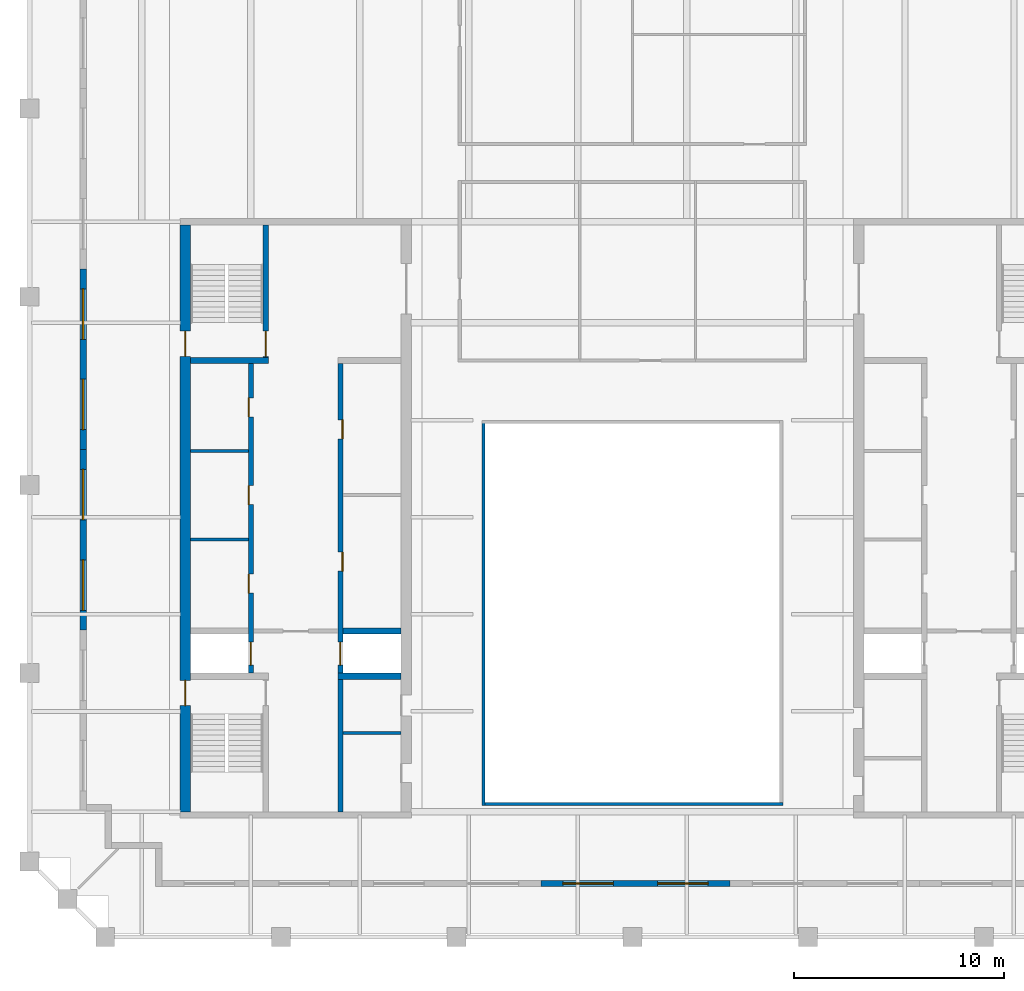
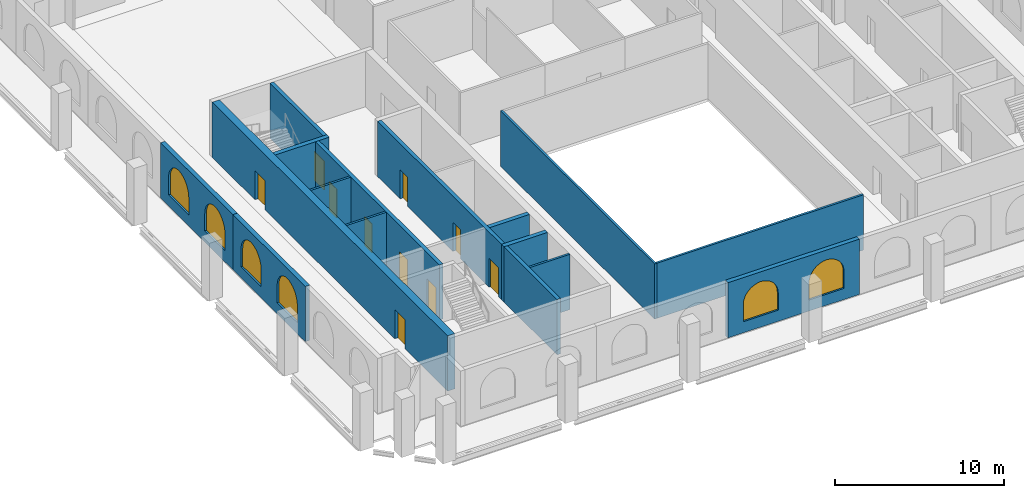
# One storey, part 3 of 10: 15 walls, 10 doors, 6 windows, 16 openings.
"""IFC4 building model written with IfcOpenShell, lengths in metres."""

from ifc_helpers import new_model, si_unit, direction, frame, frame_2d, origin, place, context, subcontext, project, spatial, polyline, rectangle, outline, extrude, material, layer, layer_set, type_object, element, fill, save


model = new_model("IFC4")

# Units and contexts
model_context = context("Model", 3, precision=1e-05, world=origin(), true_north=direction((0.0, 1.0)))
body_context = subcontext(model_context, "Body", "Model", "MODEL_VIEW")
ifc_project = project(units=[si_unit("LENGTHUNIT", "METRE"), si_unit("AREAUNIT", "SQUARE_METRE"), si_unit("VOLUMEUNIT", "CUBIC_METRE"), si_unit("PLANEANGLEUNIT", "RADIAN"), si_unit("MASSUNIT", "GRAM", prefix="KILO")], contexts=[model_context])

# Site, building, storey
site_placement = place(None, origin())
site = spatial("IfcSite", under=ifc_project, at=site_placement, CompositionType="ELEMENT")
building_placement = place(site_placement, origin())
building = spatial("IfcBuilding", under=site, at=building_placement, Name="Ogive Exchange Tower", CompositionType="ELEMENT")
storey_placement = place(building_placement, frame((0.0, 0.0, 369.0)))
storey = spatial("IfcBuildingStorey", under=building, at=storey_placement, Name="C01", CompositionType="ELEMENT", Elevation=369.0)

# Walls
ifc_material_1 = material(Name="Gypsum board partition")
ifc_layer_1 = layer(ifc_material_1, 0.14990234375)
ifc_layer_set_1 = layer_set([ifc_layer_1], Name="Core room partition 150 gypsum")
wall_type_1 = type_object("IfcWallType", Name="Core room partition 150 gypsum", PredefinedType="PARTITIONING", material=ifc_layer_set_1)
for number, where, z_axis, x_axis, name in (
    (1, (-21.0, 10.5, 0.0), (0.0, 0.0, 1.0), (1.0, 0.0, 0.0), "W row A bay partition 1-1"),
    (2, (-21.0, 14.699951171875, 0.0), (0.0, 0.0, 1.0), (1.0, 0.0, 0.0), "W row A bay partition 1-2"),
    (3, (-13.75, 1.300048828125, 0.0), (0.0, 0.0, 1.0), (1.0, 0.0, 0.0), "W south room partition"),
):
    element("IfcWall", number, at=place(storey_placement, frame(where, z_axis=z_axis, x_axis=x_axis)), inside=storey, type_object=wall_type_1, Name=name, PredefinedType="PARTITIONING", context=body_context, shape_type="SweptSolid", body=[
        extrude(rectangle(XDim=2.75, YDim=0.14990234375, at=frame_2d((1.375, 0.0))), origin(), (0.0, 0.0, 1.0), 4.0),
    ])
ifc_material_2 = material(Name="Fire-resisting glass in steel frame", Category="steel")
ifc_layer_2 = layer(ifc_material_2, 0.14990234375)
ifc_layer_set_2 = layer_set([ifc_layer_2], Name="Fire-rated glazed wall 150")
wall_type_2 = type_object("IfcWallType", Name="Fire-rated glazed wall 150", PredefinedType="STANDARD", material=ifc_layer_set_2)
wall_1_placement = place(storey_placement, frame((-7.074951171875, -2.14990234375, 0.0), z_axis=(0.0, 0.0, 1.0), x_axis=(0.0, 1.0, 0.0)))
element("IfcWall", 4, at=wall_1_placement, inside=storey, type_object=wall_type_2, Name="Nave enclosure wall 1", PredefinedType="STANDARD", context=body_context, shape_type="SweptSolid", body=[
    extrude(rectangle(XDim=18.2998046875, YDim=0.14990234375, at=frame_2d((9.14990234375, 0.0))), origin(), (0.0, 0.0, 1.0), 4.0),
])
wall_2_placement = place(storey_placement, frame((7.14990234375, -2.074951171875, 0.0), z_axis=(0.0, 0.0, 1.0), x_axis=(-1.0, 0.0, 0.0)))
element("IfcWall", 5, at=wall_2_placement, inside=storey, type_object=wall_type_2, Name="Nave enclosure wall 4", PredefinedType="STANDARD", context=body_context, shape_type="SweptSolid", body=[
    extrude(rectangle(XDim=14.14990234375, YDim=0.14990234375, at=frame_2d((7.074951171875, 0.0))), origin(), (0.0, 0.0, 1.0), 4.0),
])

# Wall, opening, door
ifc_material_3 = material(Name="Concrete C70/85", Category="concrete")
ifc_layer_3 = layer(ifc_material_3, 0.25)
ifc_layer_set_3 = layer_set([ifc_layer_3], Name="RC core wall 250 C70/85")
wall_type_3 = type_object("IfcWallType", Name="RC core wall 250 C70/85", PredefinedType="SHEAR", material=ifc_layer_set_3)
wall_3_placement = place(storey_placement, frame((-17.425048828125, 19.14990234375, 0.0), z_axis=(0.0, 0.0, 1.0), x_axis=(0.0, 1.0, 0.0)))
wall_3 = element("IfcWall", 6, at=wall_3_placement, inside=storey, type_object=wall_type_3, Name="W stair N front wall", PredefinedType="SHEAR", context=body_context, shape_type="SweptSolid", body=[
    extrude(rectangle(XDim=6.300048828125, YDim=0.25, at=frame_2d((3.14990234375, 0.0))), origin(), (0.0, 0.0, 1.0), 4.0),
])
opening_1_placement = place(wall_3_placement, frame((0.050048828125, 0.0, 0.0)))
opening_1 = element("IfcOpeningElement", 7, at=opening_1_placement, cuts=wall_3, Name="Opening C01-C12", PredefinedType="OPENING", context=body_context, shape_type="SweptSolid", body=[
    extrude(rectangle(XDim=1.199951171875, YDim=2.10009765625, at=frame_2d((0.60009765625, 1.050048828125))), frame((0.0, 0.135009765625, 0.0), z_axis=(0.0, -1.0, 0.0), x_axis=(1.0, 0.0, 0.0)), (0.0, 0.0, 1.0), 0.27001953125),
])
ifc_material_4 = material(Name="Steel fire door", Category="steel")
door_type_1 = type_object("IfcDoorType", Name="Stair door FD90 1200 x 2100", OperationType="NOTDEFINED", PredefinedType="DOOR", material=ifc_material_4)
door_1_placement = place(opening_1_placement, origin())
door_1 = element("IfcDoor", 8, at=door_1_placement, inside=storey, type_object=door_type_1, Name="Stair door", ObjectType="CD5", OperationType="SINGLE_SWING_RIGHT", OverallHeight=2.10009765625, OverallWidth=1.199951171875, PredefinedType="DOOR", context=body_context, shape_type="SweptSolid", body=[
    extrude(rectangle(XDim=1.199951171875, YDim=2.10009765625, at=frame_2d((0.60009765625, 1.050048828125))), frame((0.0, 0.02490234375, 0.0), z_axis=(0.0, -1.0, 0.0), x_axis=(1.0, 0.0, 0.0)), (0.0, 0.0, 1.0), 0.050048828125),
])
fill(opening_1, door_1)

# Wall, openings, doors
wall_4_placement = place(storey_placement, frame((-18.125, 4.14990234375, 0.0), z_axis=(0.0, 0.0, 1.0), x_axis=(0.0, 1.0, 0.0)))
wall_4 = element("IfcWall", 9, at=wall_4_placement, inside=storey, type_object=wall_type_3, Name="W row A front wall", PredefinedType="SHEAR", context=body_context, shape_type="SweptSolid", body=[
    extrude(rectangle(XDim=14.7001953125, YDim=0.25, at=frame_2d((7.35009765625, 0.0))), origin(), (0.0, 0.0, 1.0), 4.0),
])
opening_2_placement = place(wall_4_placement, frame((3.79638671875, 0.0, 0.0)))
opening_2 = element("IfcOpeningElement", 10, at=opening_2_placement, cuts=wall_4, Name="Opening C01-C01", PredefinedType="OPENING", context=body_context, shape_type="SweptSolid", body=[
    extrude(rectangle(XDim=0.89990234375, YDim=2.10009765625, at=frame_2d((0.449951171875, 1.050048828125))), frame((0.0, 0.135009765625, 0.0), z_axis=(0.0, -1.0, 0.0), x_axis=(1.0, 0.0, 0.0)), (0.0, 0.0, 1.0), 0.27001953125),
])
opening_3_placement = place(wall_4_placement, frame((8.0, 0.0, 0.0)))
opening_3 = element("IfcOpeningElement", 11, at=opening_3_placement, cuts=wall_4, Name="Opening C01-C02", PredefinedType="OPENING", context=body_context, shape_type="SweptSolid", body=[
    extrude(rectangle(XDim=0.89990234375, YDim=2.10009765625, at=frame_2d((0.449951171875, 1.050048828125))), frame((0.0, 0.135009765625, 0.0), z_axis=(0.0, -1.0, 0.0), x_axis=(1.0, 0.0, 0.0)), (0.0, 0.0, 1.0), 0.27001953125),
])
opening_4_placement = place(wall_4_placement, frame((12.175048828125, 0.0, 0.0)))
opening_4 = element("IfcOpeningElement", 12, at=opening_4_placement, cuts=wall_4, Name="Opening C01-C03", PredefinedType="OPENING", context=body_context, shape_type="SweptSolid", body=[
    extrude(rectangle(XDim=0.89990234375, YDim=2.10009765625, at=frame_2d((0.449951171875, 1.050048828125))), frame((0.0, 0.135009765625, 0.0), z_axis=(0.0, -1.0, 0.0), x_axis=(1.0, 0.0, 0.0)), (0.0, 0.0, 1.0), 0.27001953125),
])
opening_5_placement = place(wall_4_placement, frame((0.371337890625, 0.0, 0.0)))
opening_5 = element("IfcOpeningElement", 13, at=opening_5_placement, cuts=wall_4, Name="Opening C01-C04", PredefinedType="OPENING", context=body_context, shape_type="SweptSolid", body=[
    extrude(rectangle(XDim=1.10009765625, YDim=2.10009765625, at=frame_2d((0.550048828125, 1.050048828125))), frame((0.0, 0.135009765625, 0.0), z_axis=(0.0, -1.0, 0.0), x_axis=(1.0, 0.0, 0.0)), (0.0, 0.0, 1.0), 0.27001953125),
])
ifc_material_5 = material(Name="Stainless steel", Category="steel")
door_type_2 = type_object("IfcDoorType", Name="Lift landing door FD90 1100 x 2100", OperationType="SLIDING_TO_LEFT", PredefinedType="DOOR", material=ifc_material_5)
door_2_placement = place(opening_5_placement, origin())
door_2 = element("IfcDoor", 14, at=door_2_placement, inside=storey, type_object=door_type_2, Name="Lift landing door FF1", ObjectType="LD", OperationType="SLIDING_TO_LEFT", OverallHeight=2.10009765625, OverallWidth=1.10009765625, PredefinedType="DOOR", context=body_context, shape_type="SweptSolid", body=[
    extrude(rectangle(XDim=1.10009765625, YDim=2.10009765625, at=frame_2d((0.550048828125, 1.050048828125))), frame((0.0, 0.02490234375, 0.0), z_axis=(0.0, -1.0, 0.0), x_axis=(1.0, 0.0, 0.0)), (0.0, 0.0, 1.0), 0.050048828125),
])
fill(opening_5, door_2)
door_type_3 = type_object("IfcDoorType", Name="Riser door FD60 900 x 2100", OperationType="NOTDEFINED", PredefinedType="DOOR", material=ifc_material_4)
door_3_placement = place(opening_2_placement, origin())
door_3 = element("IfcDoor", 15, at=door_3_placement, inside=storey, type_object=door_type_3, Name="Riser door", ObjectType="CD2", OperationType="SINGLE_SWING_RIGHT", OverallHeight=2.10009765625, OverallWidth=0.89990234375, PredefinedType="DOOR", context=body_context, shape_type="SweptSolid", body=[
    extrude(rectangle(XDim=0.89990234375, YDim=2.10009765625, at=frame_2d((0.449951171875, 1.050048828125))), frame((0.0, 0.125, 0.0), z_axis=(0.0, -1.0, 0.0), x_axis=(1.0, 0.0, 0.0)), (0.0, 0.0, 1.0), 0.050048828125),
])
fill(opening_2, door_3)
door_4_placement = place(opening_3_placement, origin())
door_4 = element("IfcDoor", 16, at=door_4_placement, inside=storey, type_object=door_type_3, Name="Riser door", ObjectType="CD2", OperationType="SINGLE_SWING_RIGHT", OverallHeight=2.10009765625, OverallWidth=0.89990234375, PredefinedType="DOOR", context=body_context, shape_type="SweptSolid", body=[
    extrude(rectangle(XDim=0.89990234375, YDim=2.10009765625, at=frame_2d((0.449951171875, 1.050048828125))), frame((0.0, 0.125, 0.0), z_axis=(0.0, -1.0, 0.0), x_axis=(1.0, 0.0, 0.0)), (0.0, 0.0, 1.0), 0.050048828125),
])
fill(opening_3, door_4)
door_5_placement = place(opening_4_placement, origin())
door_5 = element("IfcDoor", 17, at=door_5_placement, inside=storey, type_object=door_type_3, Name="Riser door", ObjectType="CD2", OperationType="SINGLE_SWING_RIGHT", OverallHeight=2.10009765625, OverallWidth=0.89990234375, PredefinedType="DOOR", context=body_context, shape_type="SweptSolid", body=[
    extrude(rectangle(XDim=0.89990234375, YDim=2.10009765625, at=frame_2d((0.449951171875, 1.050048828125))), frame((0.0, 0.125, 0.0), z_axis=(0.0, -1.0, 0.0), x_axis=(1.0, 0.0, 0.0)), (0.0, 0.0, 1.0), 0.050048828125),
])
fill(opening_4, door_5)

wall_5_placement = place(storey_placement, frame((-13.875, -2.449951171875, 0.0), z_axis=(0.0, 0.0, 1.0), x_axis=(0.0, 1.0, 0.0)))
wall_5 = element("IfcWall", 18, at=wall_5_placement, inside=storey, type_object=wall_type_3, Name="W row B front wall", PredefinedType="SHEAR", context=body_context, shape_type="SweptSolid", body=[
    extrude(rectangle(XDim=21.300048828125, YDim=0.25, at=frame_2d((10.64990234375, 0.0))), origin(), (0.0, 0.0, 1.0), 4.0),
])
opening_6_placement = place(wall_5_placement, frame((11.4462890625, 0.0, 0.0)))
opening_6 = element("IfcOpeningElement", 19, at=opening_6_placement, cuts=wall_5, Name="Opening C01-C05", PredefinedType="OPENING", context=body_context, shape_type="SweptSolid", body=[
    extrude(rectangle(XDim=0.89990234375, YDim=2.10009765625, at=frame_2d((0.449951171875, 1.050048828125))), frame((0.0, 0.135009765625, 0.0), z_axis=(0.0, -1.0, 0.0), x_axis=(1.0, 0.0, 0.0)), (0.0, 0.0, 1.0), 0.27001953125),
])
opening_7_placement = place(wall_5_placement, frame((17.72509765625, 0.0, 0.0)))
opening_7 = element("IfcOpeningElement", 20, at=opening_7_placement, cuts=wall_5, Name="Opening C01-C06", PredefinedType="OPENING", context=body_context, shape_type="SweptSolid", body=[
    extrude(rectangle(XDim=0.89990234375, YDim=2.10009765625, at=frame_2d((0.449951171875, 1.050048828125))), frame((0.0, 0.135009765625, 0.0), z_axis=(0.0, -1.0, 0.0), x_axis=(1.0, 0.0, 0.0)), (0.0, 0.0, 1.0), 0.27001953125),
])
opening_8_placement = place(wall_5_placement, frame((6.971435546875, 0.0, 0.0)))
opening_8 = element("IfcOpeningElement", 21, at=opening_8_placement, cuts=wall_5, Name="Opening C01-C07", PredefinedType="OPENING", context=body_context, shape_type="SweptSolid", body=[
    extrude(rectangle(XDim=1.10009765625, YDim=2.10009765625, at=frame_2d((0.550048828125, 1.050048828125))), frame((0.0, 0.135009765625, 0.0), z_axis=(0.0, -1.0, 0.0), x_axis=(1.0, 0.0, 0.0)), (0.0, 0.0, 1.0), 0.27001953125),
])
door_6_placement = place(opening_8_placement, origin())
door_6 = element("IfcDoor", 22, at=door_6_placement, inside=storey, type_object=door_type_2, Name="Lift landing door SV1", ObjectType="LD", OperationType="SLIDING_TO_LEFT", OverallHeight=2.10009765625, OverallWidth=1.10009765625, PredefinedType="DOOR", context=body_context, shape_type="SweptSolid", body=[
    extrude(rectangle(XDim=1.10009765625, YDim=2.10009765625, at=frame_2d((0.550048828125, 1.050048828125))), frame((0.0, 0.02490234375, 0.0), z_axis=(0.0, -1.0, 0.0), x_axis=(1.0, 0.0, 0.0)), (0.0, 0.0, 1.0), 0.050048828125),
])
fill(opening_8, door_6)
door_7_placement = place(opening_6_placement, frame((0.89990234375, -0.2001953125, 0.0), z_axis=(0.0, 0.0, 1.0), x_axis=(-1.0, 0.0, 0.0)))
door_7 = element("IfcDoor", 23, at=door_7_placement, inside=storey, type_object=door_type_3, Name="Riser door", ObjectType="CD2", OperationType="SINGLE_SWING_RIGHT", OverallHeight=2.10009765625, OverallWidth=0.89990234375, PredefinedType="DOOR", context=body_context, shape_type="SweptSolid", body=[
    extrude(rectangle(XDim=0.89990234375, YDim=2.10009765625, at=frame_2d((0.449951171875, 1.050048828125))), frame((0.0, -0.0751953125, 0.0), z_axis=(0.0, -1.0, 0.0), x_axis=(1.0, 0.0, 0.0)), (0.0, 0.0, 1.0), 0.050048828125),
])
fill(opening_6, door_7)
door_8_placement = place(opening_7_placement, frame((0.89990234375, -0.2001953125, 0.0), z_axis=(0.0, 0.0, 1.0), x_axis=(-1.0, 0.0, 0.0)))
door_8 = element("IfcDoor", 24, at=door_8_placement, inside=storey, type_object=door_type_3, Name="Riser door", ObjectType="CD2", OperationType="SINGLE_SWING_RIGHT", OverallHeight=2.10009765625, OverallWidth=0.89990234375, PredefinedType="DOOR", context=body_context, shape_type="SweptSolid", body=[
    extrude(rectangle(XDim=0.89990234375, YDim=2.10009765625, at=frame_2d((0.449951171875, 1.050048828125))), frame((0.0, -0.0751953125, 0.0), z_axis=(0.0, -1.0, 0.0), x_axis=(1.0, 0.0, 0.0)), (0.0, 0.0, 1.0), 0.050048828125),
])
fill(opening_7, door_8)

# Walls
ifc_layer_4 = layer(ifc_material_3, 0.300048828125)
ifc_layer_set_4 = layer_set([ifc_layer_4], Name="RC core wall 300 C70/85")
wall_type_4 = type_object("IfcWallType", Name="RC core wall 300 C70/85", PredefinedType="SHEAR", material=ifc_layer_set_4)
wall_6_placement = place(storey_placement, frame((-21.0, 19.0, 0.0), z_axis=(0.0, 0.0, 1.0), x_axis=(1.0, 0.0, 0.0)))
element("IfcWall", 25, at=wall_6_placement, inside=storey, type_object=wall_type_4, Name="W stair N south wall", PredefinedType="SHEAR", context=body_context, shape_type="SweptSolid", body=[
    extrude(rectangle(XDim=3.699951171875, YDim=0.300048828125, at=frame_2d((1.85009765625, 0.0))), origin(), (0.0, 0.0, 1.0), 4.0),
])
wall_7_placement = place(storey_placement, frame((-14.0, 4.0, 0.0), z_axis=(0.0, 0.0, 1.0), x_axis=(1.0, 0.0, 0.0)))
element("IfcWall", 26, at=wall_7_placement, inside=storey, type_object=wall_type_4, Name="W row B divider 0", PredefinedType="SHEAR", context=body_context, shape_type="SweptSolid", body=[
    extrude(rectangle(XDim=3.0, YDim=0.300048828125, at=frame_2d((1.5, 0.0))), origin(), (0.0, 0.0, 1.0), 4.0),
])
wall_8_placement = place(storey_placement, frame((-13.75, 6.142822265625, 0.0), z_axis=(0.0, 0.0, 1.0), x_axis=(1.0, 0.0, 0.0)))
element("IfcWall", 27, at=wall_8_placement, inside=storey, type_object=wall_type_4, Name="W row B divider 1", PredefinedType="SHEAR", context=body_context, shape_type="SweptSolid", body=[
    extrude(rectangle(XDim=2.75, YDim=0.300048828125, at=frame_2d((1.375, 0.0))), origin(), (0.0, 0.0, 1.0), 4.0),
])

# Wall, openings, doors
ifc_layer_5 = layer(ifc_material_3, 0.5)
ifc_layer_set_5 = layer_set([ifc_layer_5], Name="RC core wall 500 C70/85")
wall_type_5 = type_object("IfcWallType", Name="RC core wall 500 C70/85", PredefinedType="SHEAR", material=ifc_layer_set_5)
wall_9_placement = place(storey_placement, frame((-21.25, -2.449951171875, 0.0), z_axis=(0.0, 0.0, 1.0), x_axis=(0.0, 1.0, 0.0)))
wall_9 = element("IfcWall", 28, at=wall_9_placement, inside=storey, type_object=wall_type_5, Name="W outer wall", PredefinedType="SHEAR", context=body_context, shape_type="SweptSolid", body=[
    extrude(rectangle(XDim=27.89990234375, YDim=0.5, at=frame_2d((13.949951171875, 0.0))), origin(), (0.0, 0.0, 1.0), 4.0),
])
opening_9_placement = place(wall_9_placement, frame((5.050048828125, 0.0, 0.0)))
opening_9 = element("IfcOpeningElement", 29, at=opening_9_placement, cuts=wall_9, Name="Opening C01-C11", PredefinedType="OPENING", context=body_context, shape_type="SweptSolid", body=[
    extrude(rectangle(XDim=1.199951171875, YDim=2.10009765625, at=frame_2d((0.60009765625, 1.050048828125))), frame((0.0, 0.260009765625, 0.0), z_axis=(0.0, -1.0, 0.0), x_axis=(1.0, 0.0, 0.0)), (0.0, 0.0, 1.0), 0.52001953125),
])
opening_10_placement = place(wall_9_placement, frame((21.64990234375, 0.0, 0.0)))
opening_10 = element("IfcOpeningElement", 30, at=opening_10_placement, cuts=wall_9, Name="Opening C01-C13", PredefinedType="OPENING", context=body_context, shape_type="SweptSolid", body=[
    extrude(rectangle(XDim=1.199951171875, YDim=2.10009765625, at=frame_2d((0.60009765625, 1.050048828125))), frame((0.0, 0.260009765625, 0.0), z_axis=(0.0, -1.0, 0.0), x_axis=(1.0, 0.0, 0.0)), (0.0, 0.0, 1.0), 0.52001953125),
])
door_9_placement = place(opening_9_placement, origin())
door_9 = element("IfcDoor", 31, at=door_9_placement, inside=storey, type_object=door_type_1, Name="Stair door", ObjectType="CD5", OperationType="SINGLE_SWING_LEFT", OverallHeight=2.10009765625, OverallWidth=1.199951171875, PredefinedType="DOOR", context=body_context, shape_type="SweptSolid", body=[
    extrude(rectangle(XDim=1.199951171875, YDim=2.10009765625, at=frame_2d((0.60009765625, 1.050048828125))), frame((0.0, 0.02490234375, 0.0), z_axis=(0.0, -1.0, 0.0), x_axis=(1.0, 0.0, 0.0)), (0.0, 0.0, 1.0), 0.050048828125),
])
fill(opening_9, door_9)
door_10_placement = place(opening_10_placement, origin())
door_10 = element("IfcDoor", 32, at=door_10_placement, inside=storey, type_object=door_type_1, Name="Stair door", ObjectType="CD5", OperationType="SINGLE_SWING_LEFT", OverallHeight=2.10009765625, OverallWidth=1.199951171875, PredefinedType="DOOR", context=body_context, shape_type="SweptSolid", body=[
    extrude(rectangle(XDim=1.199951171875, YDim=2.10009765625, at=frame_2d((0.60009765625, 1.050048828125))), frame((0.0, 0.02490234375, 0.0), z_axis=(0.0, -1.0, 0.0), x_axis=(1.0, 0.0, 0.0)), (0.0, 0.0, 1.0), 0.050048828125),
])
fill(opening_10, door_10)

# Wall, openings, windows
ifc_material_6 = material(Name="Precast concrete C40/50", Category="concrete")
ifc_layer_6 = layer(ifc_material_6, 0.300048828125)
ifc_layer_set_6 = layer_set([ifc_layer_6], Name="Zinc-clad crown wall 300")
wall_type_6 = type_object("IfcWallType", Name="Zinc-clad crown wall 300", PredefinedType="STANDARD", material=ifc_layer_set_6)
wall_10_placement = place(storey_placement, frame((-4.35009765625, -5.85009765625, 0.0), z_axis=(0.0, 0.0, 1.0), x_axis=(1.0, 0.0, 0.0)))
wall_10 = element("IfcWall", 33, at=wall_10_placement, inside=storey, type_object=wall_type_6, Name="Crown wall 6", PredefinedType="STANDARD", context=body_context, shape_type="SweptSolid", body=[
    extrude(rectangle(XDim=9.0, YDim=0.300048828125, at=frame_2d((4.5, 0.0))), origin(), (0.0, 0.0, 1.0), 4.0),
])
opening_11_placement = place(wall_10_placement, frame((1.050048828125, 0.0, 0.800048828125)))
opening_11 = element("IfcOpeningElement", 34, at=opening_11_placement, cuts=wall_10, Name="Opening WC25", PredefinedType="OPENING", context=body_context, shape_type="SweptSolid", body=[
    extrude(outline(polyline([(0.0, 0.0), (2.39990234375, 0.0), (2.39990234375, 1.25), (2.377197265625, 1.48779296875), (2.3095703125, 1.717041015625), (2.19970703125, 1.928955078125), (2.05126953125, 2.116455078125), (1.8701171875, 2.272216796875), (1.662841796875, 2.390625), (1.4365234375, 2.467529296875), (1.199951171875, 2.5), (0.96337890625, 2.467529296875), (0.737060546875, 2.390625), (0.52978515625, 2.272216796875), (0.3486328125, 2.116455078125), (0.2001953125, 1.928955078125), (0.09033203125, 1.717041015625), (0.022705078125, 1.48779296875), (0.0, 1.25), (0.0, 0.0)])), frame((0.0, 0.159912109375, 0.0), z_axis=(0.0, -1.0, 0.0), x_axis=(1.0, 0.0, 0.0)), (0.0, 0.0, 1.0), 0.320068359375),
])
opening_12_placement = place(wall_10_placement, frame((5.550048828125, 0.0, 0.800048828125)))
opening_12 = element("IfcOpeningElement", 35, at=opening_12_placement, cuts=wall_10, Name="Opening WC25", PredefinedType="OPENING", context=body_context, shape_type="SweptSolid", body=[
    extrude(outline(polyline([(0.0, 0.0), (2.39990234375, 0.0), (2.39990234375, 1.25), (2.377197265625, 1.48779296875), (2.3095703125, 1.717041015625), (2.19970703125, 1.928955078125), (2.05126953125, 2.116455078125), (1.8701171875, 2.272216796875), (1.662841796875, 2.390625), (1.4365234375, 2.467529296875), (1.199951171875, 2.5), (0.96337890625, 2.467529296875), (0.737060546875, 2.390625), (0.52978515625, 2.272216796875), (0.3486328125, 2.116455078125), (0.2001953125, 1.928955078125), (0.09033203125, 1.717041015625), (0.022705078125, 1.48779296875), (0.0, 1.25), (0.0, 0.0)])), frame((0.0, 0.159912109375, 0.0), z_axis=(0.0, -1.0, 0.0), x_axis=(1.0, 0.0, 0.0)), (0.0, 0.0, 1.0), 0.320068359375),
])
ifc_material_7 = material(Name="Clear glass in bronze frame", Category="glass")
window_type = type_object("IfcWindowType", Name="Crown lancet window 2400 x 2500", PartitioningType="DOUBLE_PANEL_VERTICAL", PredefinedType="WINDOW", material=ifc_material_7)
window_1_placement = place(opening_11_placement, origin())
window_1 = element("IfcWindow", 36, at=window_1_placement, inside=storey, type_object=window_type, Name="Crown lancet 6.1", OverallHeight=2.5, OverallWidth=2.39990234375, PartitioningType="DOUBLE_PANEL_VERTICAL", PredefinedType="WINDOW", context=body_context, shape_type="SweptSolid", body=[
    extrude(outline(polyline([(0.0, 0.0), (2.39990234375, 0.0), (2.39990234375, 1.25), (2.377197265625, 1.48779296875), (2.3095703125, 1.717041015625), (2.19970703125, 1.928955078125), (2.05126953125, 2.116455078125), (1.8701171875, 2.272216796875), (1.662841796875, 2.390625), (1.4365234375, 2.467529296875), (1.199951171875, 2.5), (0.96337890625, 2.467529296875), (0.737060546875, 2.390625), (0.52978515625, 2.272216796875), (0.3486328125, 2.116455078125), (0.2001953125, 1.928955078125), (0.09033203125, 1.717041015625), (0.022705078125, 1.48779296875), (0.0, 1.25), (0.0, 0.0)])), frame((0.0, 0.030029296875, 0.0), z_axis=(0.0, -1.0, 0.0), x_axis=(1.0, 0.0, 0.0)), (0.0, 0.0, 1.0), 0.06005859375),
])
fill(opening_11, window_1)
window_2_placement = place(opening_12_placement, origin())
window_2 = element("IfcWindow", 37, at=window_2_placement, inside=storey, type_object=window_type, Name="Crown lancet 6.2", OverallHeight=2.5, OverallWidth=2.39990234375, PartitioningType="DOUBLE_PANEL_VERTICAL", PredefinedType="WINDOW", context=body_context, shape_type="SweptSolid", body=[
    extrude(outline(polyline([(0.0, 0.0), (2.39990234375, 0.0), (2.39990234375, 1.25), (2.377197265625, 1.48779296875), (2.3095703125, 1.717041015625), (2.19970703125, 1.928955078125), (2.05126953125, 2.116455078125), (1.8701171875, 2.272216796875), (1.662841796875, 2.390625), (1.4365234375, 2.467529296875), (1.199951171875, 2.5), (0.96337890625, 2.467529296875), (0.737060546875, 2.390625), (0.52978515625, 2.272216796875), (0.3486328125, 2.116455078125), (0.2001953125, 1.928955078125), (0.09033203125, 1.717041015625), (0.022705078125, 1.48779296875), (0.0, 1.25), (0.0, 0.0)])), frame((0.0, 0.030029296875, 0.0), z_axis=(0.0, -1.0, 0.0), x_axis=(1.0, 0.0, 0.0)), (0.0, 0.0, 1.0), 0.06005859375),
])
fill(opening_12, window_2)

wall_11_placement = place(storey_placement, frame((-26.10009765625, 23.35009765625, 0.0), z_axis=(0.0, 0.0, 1.0), x_axis=(0.0, -1.0, 0.0)))
wall_11 = element("IfcWall", 38, at=wall_11_placement, inside=storey, type_object=wall_type_6, Name="Crown wall 35", PredefinedType="STANDARD", context=body_context, shape_type="SweptSolid", body=[
    extrude(rectangle(XDim=8.58349609375, YDim=0.300048828125, at=frame_2d((4.291748046875, 0.0))), origin(), (0.0, 0.0, 1.0), 4.0),
])
opening_13_placement = place(wall_11_placement, frame((0.94580078125, 0.0, 0.800048828125)))
opening_13 = element("IfcOpeningElement", 39, at=opening_13_placement, cuts=wall_11, Name="Opening WC25", PredefinedType="OPENING", context=body_context, shape_type="SweptSolid", body=[
    extrude(outline(polyline([(0.0, 0.0), (2.39990234375, 0.0), (2.39990234375, 1.25), (2.377197265625, 1.48779296875), (2.3095703125, 1.717041015625), (2.19970703125, 1.928955078125), (2.05126953125, 2.116455078125), (1.8701171875, 2.272216796875), (1.662841796875, 2.390625), (1.4365234375, 2.467529296875), (1.199951171875, 2.5), (0.96337890625, 2.467529296875), (0.737060546875, 2.390625), (0.52978515625, 2.272216796875), (0.3486328125, 2.116455078125), (0.2001953125, 1.928955078125), (0.09033203125, 1.717041015625), (0.022705078125, 1.48779296875), (0.0, 1.25), (0.0, 0.0)])), frame((0.0, 0.159912109375, 0.0), z_axis=(0.0, -1.0, 0.0), x_axis=(1.0, 0.0, 0.0)), (0.0, 0.0, 1.0), 0.320068359375),
])
opening_14_placement = place(wall_11_placement, frame((5.237548828125, 0.0, 0.800048828125)))
opening_14 = element("IfcOpeningElement", 40, at=opening_14_placement, cuts=wall_11, Name="Opening WC25", PredefinedType="OPENING", context=body_context, shape_type="SweptSolid", body=[
    extrude(outline(polyline([(0.0, 0.0), (2.39990234375, 0.0), (2.39990234375, 1.25), (2.377197265625, 1.48779296875), (2.3095703125, 1.717041015625), (2.19970703125, 1.928955078125), (2.05126953125, 2.116455078125), (1.8701171875, 2.272216796875), (1.662841796875, 2.390625), (1.4365234375, 2.467529296875), (1.199951171875, 2.5), (0.96337890625, 2.467529296875), (0.737060546875, 2.390625), (0.52978515625, 2.272216796875), (0.3486328125, 2.116455078125), (0.2001953125, 1.928955078125), (0.09033203125, 1.717041015625), (0.022705078125, 1.48779296875), (0.0, 1.25), (0.0, 0.0)])), frame((0.0, 0.159912109375, 0.0), z_axis=(0.0, -1.0, 0.0), x_axis=(1.0, 0.0, 0.0)), (0.0, 0.0, 1.0), 0.320068359375),
])
window_3_placement = place(opening_13_placement, origin())
window_3 = element("IfcWindow", 41, at=window_3_placement, inside=storey, type_object=window_type, Name="Crown lancet 35.1", OverallHeight=2.5, OverallWidth=2.39990234375, PartitioningType="DOUBLE_PANEL_VERTICAL", PredefinedType="WINDOW", context=body_context, shape_type="SweptSolid", body=[
    extrude(outline(polyline([(0.0, 0.0), (2.39990234375, 0.0), (2.39990234375, 1.25), (2.377197265625, 1.48779296875), (2.3095703125, 1.717041015625), (2.19970703125, 1.928955078125), (2.05126953125, 2.116455078125), (1.8701171875, 2.272216796875), (1.662841796875, 2.390625), (1.4365234375, 2.467529296875), (1.199951171875, 2.5), (0.96337890625, 2.467529296875), (0.737060546875, 2.390625), (0.52978515625, 2.272216796875), (0.3486328125, 2.116455078125), (0.2001953125, 1.928955078125), (0.09033203125, 1.717041015625), (0.022705078125, 1.48779296875), (0.0, 1.25), (0.0, 0.0)])), frame((0.0, 0.030029296875, 0.0), z_axis=(0.0, -1.0, 0.0), x_axis=(1.0, 0.0, 0.0)), (0.0, 0.0, 1.0), 0.06005859375),
])
fill(opening_13, window_3)
window_4_placement = place(opening_14_placement, origin())
window_4 = element("IfcWindow", 42, at=window_4_placement, inside=storey, type_object=window_type, Name="Crown lancet 35.2", OverallHeight=2.5, OverallWidth=2.39990234375, PartitioningType="DOUBLE_PANEL_VERTICAL", PredefinedType="WINDOW", context=body_context, shape_type="SweptSolid", body=[
    extrude(outline(polyline([(0.0, 0.0), (2.39990234375, 0.0), (2.39990234375, 1.25), (2.377197265625, 1.48779296875), (2.3095703125, 1.717041015625), (2.19970703125, 1.928955078125), (2.05126953125, 2.116455078125), (1.8701171875, 2.272216796875), (1.662841796875, 2.390625), (1.4365234375, 2.467529296875), (1.199951171875, 2.5), (0.96337890625, 2.467529296875), (0.737060546875, 2.390625), (0.52978515625, 2.272216796875), (0.3486328125, 2.116455078125), (0.2001953125, 1.928955078125), (0.09033203125, 1.717041015625), (0.022705078125, 1.48779296875), (0.0, 1.25), (0.0, 0.0)])), frame((0.0, 0.030029296875, 0.0), z_axis=(0.0, -1.0, 0.0), x_axis=(1.0, 0.0, 0.0)), (0.0, 0.0, 1.0), 0.06005859375),
])
fill(opening_14, window_4)

wall_12_placement = place(storey_placement, frame((-26.10009765625, 14.7666015625, 0.0), z_axis=(0.0, 0.0, 1.0), x_axis=(0.0, -1.0, 0.0)))
wall_12 = element("IfcWall", 43, at=wall_12_placement, inside=storey, type_object=wall_type_6, Name="Crown wall 36", PredefinedType="STANDARD", context=body_context, shape_type="SweptSolid", body=[
    extrude(rectangle(XDim=8.583251953125, YDim=0.300048828125, at=frame_2d((4.29150390625, 0.0))), origin(), (0.0, 0.0, 1.0), 4.0),
])
opening_15_placement = place(wall_12_placement, frame((0.94580078125, 0.0, 0.800048828125)))
opening_15 = element("IfcOpeningElement", 44, at=opening_15_placement, cuts=wall_12, Name="Opening WC25", PredefinedType="OPENING", context=body_context, shape_type="SweptSolid", body=[
    extrude(outline(polyline([(0.0, 0.0), (2.39990234375, 0.0), (2.39990234375, 1.25), (2.377197265625, 1.48779296875), (2.3095703125, 1.717041015625), (2.19970703125, 1.928955078125), (2.05126953125, 2.116455078125), (1.8701171875, 2.272216796875), (1.662841796875, 2.390625), (1.4365234375, 2.467529296875), (1.199951171875, 2.5), (0.96337890625, 2.467529296875), (0.737060546875, 2.390625), (0.52978515625, 2.272216796875), (0.3486328125, 2.116455078125), (0.2001953125, 1.928955078125), (0.09033203125, 1.717041015625), (0.022705078125, 1.48779296875), (0.0, 1.25), (0.0, 0.0)])), frame((0.0, 0.159912109375, 0.0), z_axis=(0.0, -1.0, 0.0), x_axis=(1.0, 0.0, 0.0)), (0.0, 0.0, 1.0), 0.320068359375),
])
opening_16_placement = place(wall_12_placement, frame((5.237548828125, 0.0, 0.800048828125)))
opening_16 = element("IfcOpeningElement", 45, at=opening_16_placement, cuts=wall_12, Name="Opening WC25", PredefinedType="OPENING", context=body_context, shape_type="SweptSolid", body=[
    extrude(outline(polyline([(0.0, 0.0), (2.39990234375, 0.0), (2.39990234375, 1.25), (2.377197265625, 1.48779296875), (2.3095703125, 1.717041015625), (2.19970703125, 1.928955078125), (2.05126953125, 2.116455078125), (1.8701171875, 2.272216796875), (1.662841796875, 2.390625), (1.4365234375, 2.467529296875), (1.199951171875, 2.5), (0.96337890625, 2.467529296875), (0.737060546875, 2.390625), (0.52978515625, 2.272216796875), (0.3486328125, 2.116455078125), (0.2001953125, 1.928955078125), (0.09033203125, 1.717041015625), (0.022705078125, 1.48779296875), (0.0, 1.25), (0.0, 0.0)])), frame((0.0, 0.159912109375, 0.0), z_axis=(0.0, -1.0, 0.0), x_axis=(1.0, 0.0, 0.0)), (0.0, 0.0, 1.0), 0.320068359375),
])
window_5_placement = place(opening_15_placement, origin())
window_5 = element("IfcWindow", 46, at=window_5_placement, inside=storey, type_object=window_type, Name="Crown lancet 36.1", OverallHeight=2.5, OverallWidth=2.39990234375, PartitioningType="DOUBLE_PANEL_VERTICAL", PredefinedType="WINDOW", context=body_context, shape_type="SweptSolid", body=[
    extrude(outline(polyline([(0.0, 0.0), (2.39990234375, 0.0), (2.39990234375, 1.25), (2.377197265625, 1.48779296875), (2.3095703125, 1.717041015625), (2.19970703125, 1.928955078125), (2.05126953125, 2.116455078125), (1.8701171875, 2.272216796875), (1.662841796875, 2.390625), (1.4365234375, 2.467529296875), (1.199951171875, 2.5), (0.96337890625, 2.467529296875), (0.737060546875, 2.390625), (0.52978515625, 2.272216796875), (0.3486328125, 2.116455078125), (0.2001953125, 1.928955078125), (0.09033203125, 1.717041015625), (0.022705078125, 1.48779296875), (0.0, 1.25), (0.0, 0.0)])), frame((0.0, 0.030029296875, 0.0), z_axis=(0.0, -1.0, 0.0), x_axis=(1.0, 0.0, 0.0)), (0.0, 0.0, 1.0), 0.06005859375),
])
fill(opening_15, window_5)
window_6_placement = place(opening_16_placement, origin())
window_6 = element("IfcWindow", 47, at=window_6_placement, inside=storey, type_object=window_type, Name="Crown lancet 36.2", OverallHeight=2.5, OverallWidth=2.39990234375, PartitioningType="DOUBLE_PANEL_VERTICAL", PredefinedType="WINDOW", context=body_context, shape_type="SweptSolid", body=[
    extrude(outline(polyline([(0.0, 0.0), (2.39990234375, 0.0), (2.39990234375, 1.25), (2.377197265625, 1.48779296875), (2.3095703125, 1.717041015625), (2.19970703125, 1.928955078125), (2.05126953125, 2.116455078125), (1.8701171875, 2.272216796875), (1.662841796875, 2.390625), (1.4365234375, 2.467529296875), (1.199951171875, 2.5), (0.96337890625, 2.467529296875), (0.737060546875, 2.390625), (0.52978515625, 2.272216796875), (0.3486328125, 2.116455078125), (0.2001953125, 1.928955078125), (0.09033203125, 1.717041015625), (0.022705078125, 1.48779296875), (0.0, 1.25), (0.0, 0.0)])), frame((0.0, 0.030029296875, 0.0), z_axis=(0.0, -1.0, 0.0), x_axis=(1.0, 0.0, 0.0)), (0.0, 0.0, 1.0), 0.06005859375),
])
fill(opening_16, window_6)

save(model, "model.ifc")
